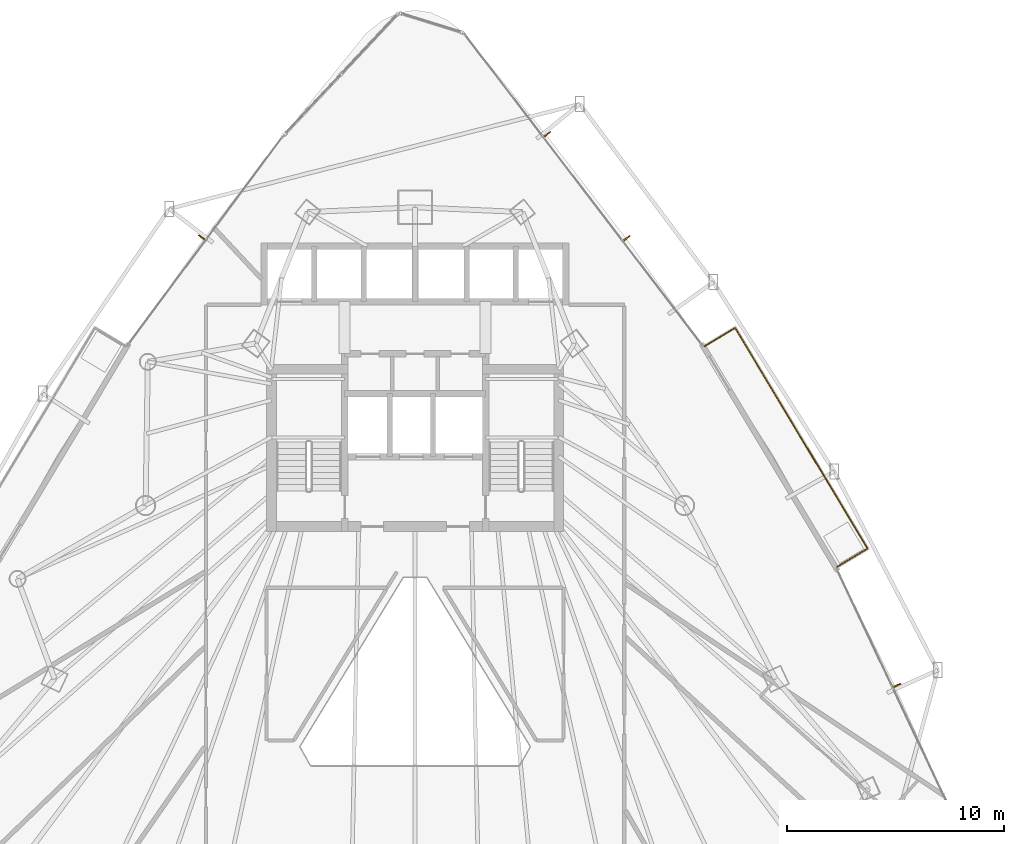
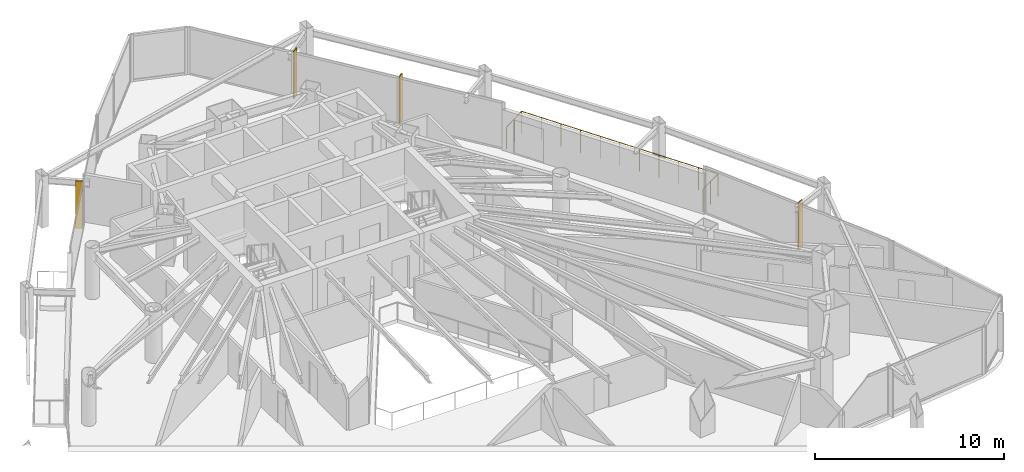
# One storey, part 33 of 33: 4 shading devices, 1 railing.
"""IFC4 building model written with IfcOpenShell, lengths in metres."""

from ifc_helpers import new_model, si_unit, direction, frame, origin, origin_2d, place, context, subcontext, project, spatial, rectangle, circle, extrude, material, layer, layer_set, type_object, element, save


model = new_model("IFC4")

# Units and contexts
model_context = context("Model", 3, precision=1e-05, world=origin(), true_north=direction((0.0, 1.0)))
body_context = subcontext(model_context, "Body", "Model", "MODEL_VIEW")
ifc_project = project(units=[si_unit("LENGTHUNIT", "METRE"), si_unit("AREAUNIT", "SQUARE_METRE"), si_unit("VOLUMEUNIT", "CUBIC_METRE"), si_unit("PLANEANGLEUNIT", "RADIAN"), si_unit("MASSUNIT", "GRAM", prefix="KILO")], contexts=[model_context])

# Site, building, storey
site_placement = place(None, origin())
site = spatial("IfcSite", under=ifc_project, at=site_placement, CompositionType="ELEMENT")
building_placement = place(site_placement, origin())
building = spatial("IfcBuilding", under=site, at=building_placement, Name="Orvanel Arch Residences", CompositionType="ELEMENT")
storey_placement = place(building_placement, frame((0.0, 0.0, 90.64990234375)))
storey = spatial("IfcBuildingStorey", under=building, at=storey_placement, Name="L25", CompositionType="ELEMENT", Elevation=90.64990234375)

# Shading devices
ifc_material = material(Name="Bronze-anodised aluminium AA6063-T6", Category="aluminium")
ifc_layer = layer(ifc_material, 0.06005859375)
ifc_layer_set = layer_set([ifc_layer], Name="Bronze-anodised aluminium AA6063-T6")
shading_device_type = type_object("IfcShadingDeviceType", Name="FIN-BRZ-380", PredefinedType="USERDEFINED", material=ifc_layer_set)
for number, where, z_axis, x_axis, name in (
    (1, (23.1630859375, 40.0029296875, 0.0), (0.0, 0.0, 1.0), (-0.802817475191, 0.596224874966, 0.0), "L25 Anodised Bronze Mullion FIN 01"),
    (2, (55.23095703125, 19.342041015625, 0.0), (0.0, 0.0, 1.0), (0.904082549661, 0.427357863387, 0.0), "L25 Anodised Bronze Mullion FIN 01"),
    (3, (42.760009765625, 39.968017578125, 0.0), (0.0, 0.0, 1.0), (0.794414620535, 0.607375839723, 0.0), "L25 Anodised Bronze Mullion FIN 01"),
    (4, (39.093017578125, 44.764892578125, 0.0), (0.0, 0.0, 1.0), (0.794414620535, 0.607375839723, 0.0), "L25 Anodised Bronze Mullion FIN 02"),
):
    element("IfcShadingDevice", number, at=place(storey_placement, frame(where, z_axis=z_axis, x_axis=x_axis)), inside=storey, type_object=shading_device_type, Name=name, ObjectType="FIN", PredefinedType="USERDEFINED", context=body_context, shape_type="SweptSolid", body=[
        extrude(rectangle(XDim=0.3798828125, YDim=0.06005859375, at=origin_2d()), origin(), (0.0, 0.0, 1.0), 3.06005859375),
    ])

# Railing
railing_type = type_object("IfcRailingType", Name="RL-BAL-1480", PredefinedType="BALUSTRADE", material=ifc_material)
railing_placement = place(storey_placement, frame((52.462890625, 24.81103515625, 0.0)))
element("IfcRailing", 5, at=railing_placement, inside=storey, type_object=railing_type, Name="L25 Balcony Perimeter Guardrail Face 3", PredefinedType="BALUSTRADE", context=body_context, shape_type="SweptSolid", body=[
    extrude(circle(Radius=0.02392578125, at=origin_2d()), frame((0.001220703125, 0.000732421875, 1.4560546875), z_axis=(0.857584807373, 0.514342588322, 0.0), x_axis=(-0.514342588322, 0.857584807373, 0.0)), (0.0, 0.0, 1.0), 1.637939453125),
    extrude(circle(Radius=0.02392578125, at=origin_2d()), frame((1.406494140625, 0.84521484375, 1.4560546875), z_axis=(-0.51443221159, 0.857531048813, 0.0), x_axis=(-0.857531048813, -0.51443221159, 0.0)), (0.0, 0.0, 1.0), 11.862548828125),
    extrude(circle(Radius=0.02392578125, at=origin_2d()), frame((-4.697998046875, 11.018310546875, 1.4560546875), z_axis=(-0.857387817543, -0.514670895164, 0.0), x_axis=(0.514670895164, -0.857387817543, 0.0)), (0.0, 0.0, 1.0), 1.636962890625),
    extrude(circle(Radius=0.02099609375, at=origin_2d()), origin(), (0.0, 0.0, 1.0), 1.429931640625),
    extrude(circle(Radius=0.02099609375, at=origin_2d()), frame((0.70361328125, 0.421875, 0.0)), (0.0, 0.0, 1.0), 1.429931640625),
    extrude(circle(Radius=0.02099609375, at=origin_2d()), frame((1.4072265625, 0.843994140625, 0.0)), (0.0, 0.0, 1.0), 1.429931640625),
    extrude(circle(Radius=0.02099609375, at=origin_2d()), frame((0.796875, 1.861572265625, 0.0)), (0.0, 0.0, 1.0), 1.429931640625),
    extrude(circle(Radius=0.02099609375, at=origin_2d()), frame((0.1865234375, 2.87890625, 0.0)), (0.0, 0.0, 1.0), 1.429931640625),
    extrude(circle(Radius=0.02099609375, at=origin_2d()), frame((-0.424072265625, 3.896484375, 0.0)), (0.0, 0.0, 1.0), 1.429931640625),
    extrude(circle(Radius=0.02099609375, at=origin_2d()), frame((-1.034423828125, 4.9140625, 0.0)), (0.0, 0.0, 1.0), 1.429931640625),
    extrude(circle(Radius=0.02099609375, at=origin_2d()), frame((-1.644775390625, 5.931640625, 0.0)), (0.0, 0.0, 1.0), 1.429931640625),
    extrude(circle(Radius=0.02099609375, at=origin_2d()), frame((-2.255126953125, 6.948974609375, 0.0)), (0.0, 0.0, 1.0), 1.429931640625),
    extrude(circle(Radius=0.02099609375, at=origin_2d()), frame((-2.865478515625, 7.966552734375, 0.0)), (0.0, 0.0, 1.0), 1.429931640625),
    extrude(circle(Radius=0.02099609375, at=origin_2d()), frame((-3.47607421875, 8.984130859375, 0.0)), (0.0, 0.0, 1.0), 1.429931640625),
    extrude(circle(Radius=0.02099609375, at=origin_2d()), frame((-4.08642578125, 10.00146484375, 0.0)), (0.0, 0.0, 1.0), 1.429931640625),
    extrude(circle(Radius=0.02099609375, at=origin_2d()), frame((-4.69677734375, 11.01904296875, 0.0)), (0.0, 0.0, 1.0), 1.429931640625),
    extrude(circle(Radius=0.02099609375, at=origin_2d()), frame((-5.39990234375, 10.59716796875, 0.0)), (0.0, 0.0, 1.0), 1.429931640625),
    extrude(circle(Radius=0.02099609375, at=origin_2d()), frame((-6.102783203125, 10.175048828125, 0.0)), (0.0, 0.0, 1.0), 1.429931640625),
])

save(model, "model.ifc")
